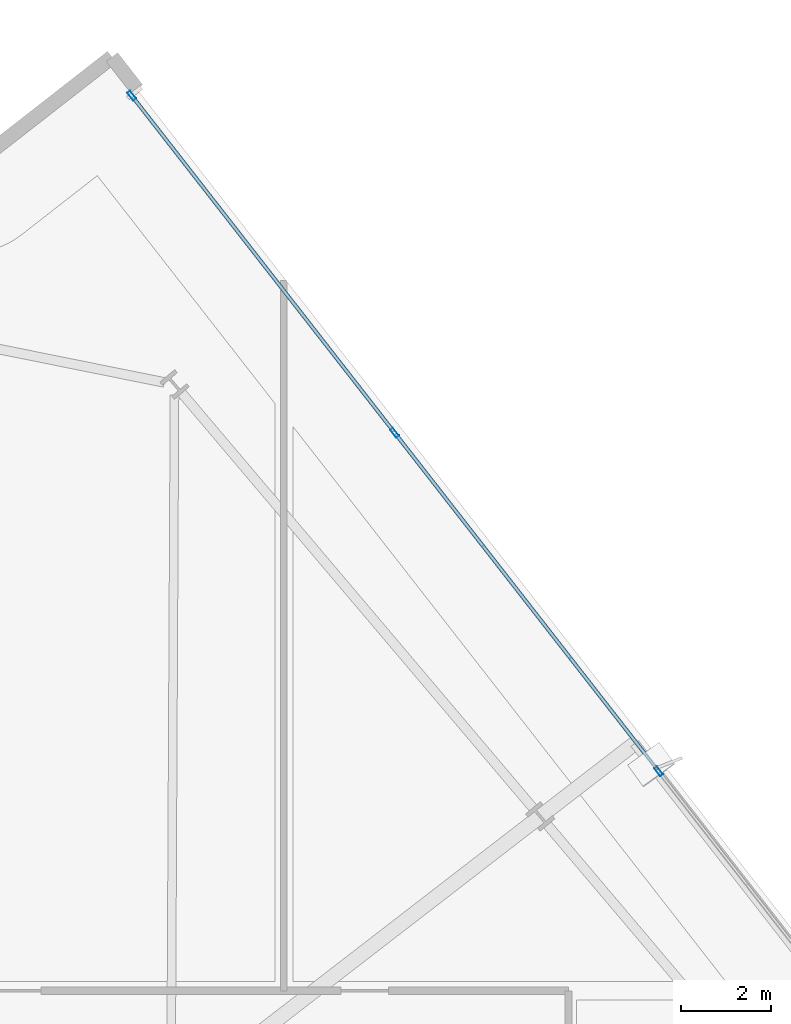
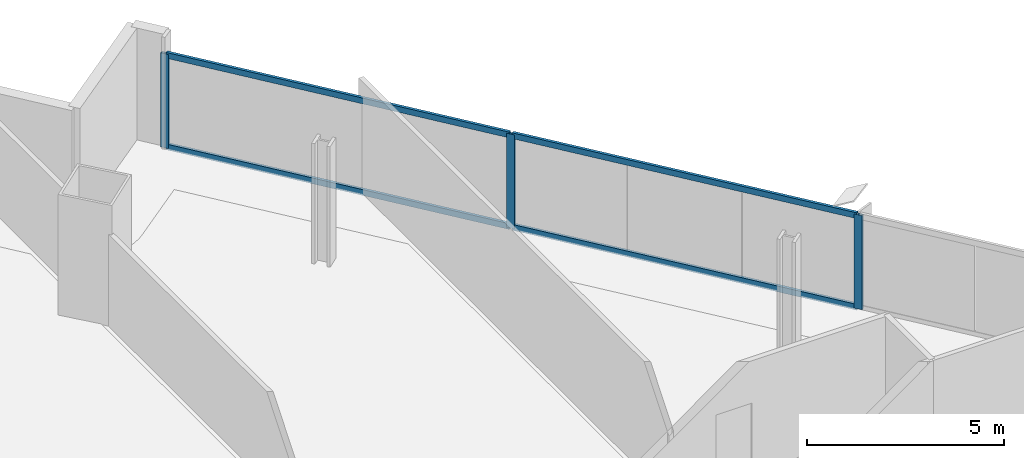
# One storey, part 21 of 32: 7 members, 1 element without a shape of its own.
"""IFC4 building model written with IfcOpenShell, lengths in metres."""

from ifc_helpers import new_model, si_unit, direction, frame, origin, origin_2d, place, context, subcontext, project, spatial, hollow_rectangle, extrude, material, material_profile, profile_set, type_object, element, aggregate, save


model = new_model("IFC4")

# Units and contexts
model_context = context("Model", 3, precision=1e-05, world=origin(), true_north=direction((0.0, 1.0)))
body_context = subcontext(model_context, "Body", "Model", "MODEL_VIEW")
ifc_project = project(units=[si_unit("LENGTHUNIT", "METRE"), si_unit("AREAUNIT", "SQUARE_METRE"), si_unit("VOLUMEUNIT", "CUBIC_METRE"), si_unit("PLANEANGLEUNIT", "RADIAN"), si_unit("MASSUNIT", "GRAM", prefix="KILO")], contexts=[model_context])

# Site, building, storey
site_placement = place(None, origin())
site = spatial("IfcSite", under=ifc_project, at=site_placement, CompositionType="ELEMENT")
building_placement = place(site_placement, origin())
building = spatial("IfcBuilding", under=site, at=building_placement, Name="Haldenkirk Collegiate Tower", CompositionType="ELEMENT")
storey_placement = place(building_placement, frame((0.0, 0.0, 155.699951171875)))
storey = spatial("IfcBuildingStorey", under=building, at=storey_placement, Name="L38", CompositionType="ELEMENT", Elevation=155.699951171875)

# Curtain wall, members
ifc_material = material(Name="Anodised architectural bronze aluminium", Category="aluminium")
curtain_wall_type = type_object("IfcCurtainWallType", Name="CW-SYS1-CONVEX-LOW", PredefinedType="USERDEFINED", material=ifc_material)
curtain_wall_placement = place(storey_placement, origin())
curtain_wall = element("IfcCurtainWall", 1, at=curtain_wall_placement, inside=storey, type_object=curtain_wall_type, Name="L38 Lower tower convex bronze-framed unitised curtain wall", ObjectType="UNITISED CURTAIN WALL", PredefinedType="USERDEFINED")
ifc_material_profile_1 = material_profile(ifc_material, hollow_rectangle(XDim=0.080078125, YDim=0.219970703125, WallThickness=0.0048828125, at=origin_2d()), Name="CW-MUL-1A")
ifc_profile_set_1 = profile_set([ifc_material_profile_1], Name="Anodised architectural bronze aluminium")
member_type_1 = type_object("IfcMemberType", Name="CW-MUL-1A", PredefinedType="MULLION", material=ifc_profile_set_1)
member_1_placement = place(storey_placement, frame((44.131103515625, 56.258544921875, 0.0), z_axis=(0.0, 0.0, 1.0), x_axis=(0.788547532235, 0.614973811968, 0.0)))
member_1 = element("IfcMember", 2, at=member_1_placement, type_object=member_type_1, Name="CW-1A mullion 1", PredefinedType="MULLION", context=body_context, shape_type="SweptSolid", body=[
    extrude(hollow_rectangle(XDim=0.080078125, YDim=0.219970703125, WallThickness=0.0048828125, at=origin_2d()), origin(), (0.0, 0.0, 1.0), 2.9111328125),
])
member_2_placement = place(storey_placement, frame((49.94873046875, 48.799072265625, 0.0), z_axis=(0.0, 0.0, 1.0), x_axis=(0.788547532235, 0.614973811968, 0.0)))
member_2 = element("IfcMember", 3, at=member_2_placement, type_object=member_type_1, Name="CW-1A mullion 2", PredefinedType="MULLION", context=body_context, shape_type="SweptSolid", body=[
    extrude(hollow_rectangle(XDim=0.080078125, YDim=0.219970703125, WallThickness=0.0048828125, at=origin_2d()), origin(), (0.0, 0.0, 1.0), 2.9111328125),
])
member_3_placement = place(storey_placement, frame((55.791015625, 41.307861328125, 0.0), z_axis=(0.0, 0.0, 1.0), x_axis=(0.788547532235, 0.614973811968, 0.0)))
member_3 = element("IfcMember", 4, at=member_3_placement, type_object=member_type_1, Name="CW-1A mullion 3", PredefinedType="MULLION", context=body_context, shape_type="SweptSolid", body=[
    extrude(hollow_rectangle(XDim=0.080078125, YDim=0.219970703125, WallThickness=0.0048828125, at=origin_2d()), origin(), (0.0, 0.0, 1.0), 2.9111328125),
])
ifc_material_profile_2 = material_profile(ifc_material, hollow_rectangle(XDim=0.080078125, YDim=0.179931640625, WallThickness=0.0048828125, at=origin_2d()), Name="CW-TRN-1A")
ifc_profile_set_2 = profile_set([ifc_material_profile_2], Name="Anodised architectural bronze aluminium")
member_type_2 = type_object("IfcMemberType", Name="CW-TRN-1A", PredefinedType="USERDEFINED", material=ifc_profile_set_2)
member_4_placement = place(storey_placement, frame((44.15576171875, 56.22705078125, 0.0400390625), z_axis=(0.614969007926, -0.788551278796, 0.0), x_axis=(0.788551278796, 0.614969007926, 0.0)))
member_4 = element("IfcMember", 5, at=member_4_placement, type_object=member_type_2, Name="CW-1A transom 1.1", ObjectType="TRANSOM", PredefinedType="USERDEFINED", context=body_context, shape_type="SweptSolid", body=[
    extrude(hollow_rectangle(XDim=0.080078125, YDim=0.179931640625, WallThickness=0.0048828125, at=origin_2d()), origin(), (0.0, 0.0, 1.0), 9.3798828125),
])
member_5_placement = place(storey_placement, frame((44.15576171875, 56.22705078125, 2.87109375), z_axis=(0.614969007926, -0.788551278796, 0.0), x_axis=(0.788551278796, 0.614969007926, 0.0)))
member_5 = element("IfcMember", 6, at=member_5_placement, type_object=member_type_2, Name="CW-1A transom 1.2", ObjectType="TRANSOM", PredefinedType="USERDEFINED", context=body_context, shape_type="SweptSolid", body=[
    extrude(hollow_rectangle(XDim=0.080078125, YDim=0.179931640625, WallThickness=0.0048828125, at=origin_2d()), origin(), (0.0, 0.0, 1.0), 9.3798828125),
])
member_6_placement = place(storey_placement, frame((49.973388671875, 48.767578125, 0.0400390625), z_axis=(0.61496282996, -0.788556096779, 0.0), x_axis=(0.788556096779, 0.61496282996, 0.0)))
member_6 = element("IfcMember", 7, at=member_6_placement, type_object=member_type_2, Name="CW-1A transom 2.1", ObjectType="TRANSOM", PredefinedType="USERDEFINED", context=body_context, shape_type="SweptSolid", body=[
    extrude(hollow_rectangle(XDim=0.080078125, YDim=0.179931640625, WallThickness=0.0048828125, at=origin_2d()), origin(), (0.0, 0.0, 1.0), 9.419921875),
])
member_7_placement = place(storey_placement, frame((49.973388671875, 48.767578125, 2.87109375), z_axis=(0.61496282996, -0.788556096779, 0.0), x_axis=(0.788556096779, 0.61496282996, 0.0)))
member_7 = element("IfcMember", 8, at=member_7_placement, type_object=member_type_2, Name="CW-1A transom 2.2", ObjectType="TRANSOM", PredefinedType="USERDEFINED", context=body_context, shape_type="SweptSolid", body=[
    extrude(hollow_rectangle(XDim=0.080078125, YDim=0.179931640625, WallThickness=0.0048828125, at=origin_2d()), origin(), (0.0, 0.0, 1.0), 9.419921875),
])
aggregate(curtain_wall, [member_1, member_2, member_3, member_4, member_5, member_6, member_7])

save(model, "model.ifc")
